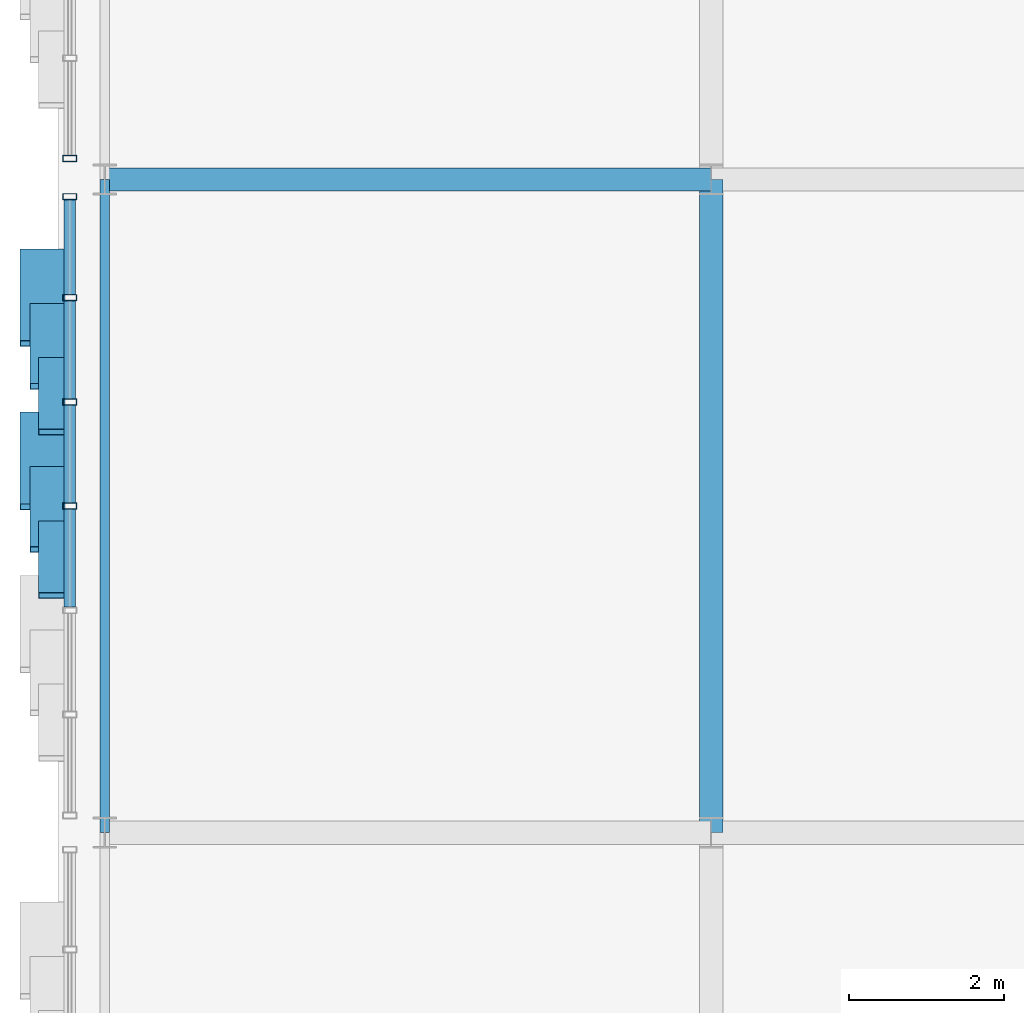
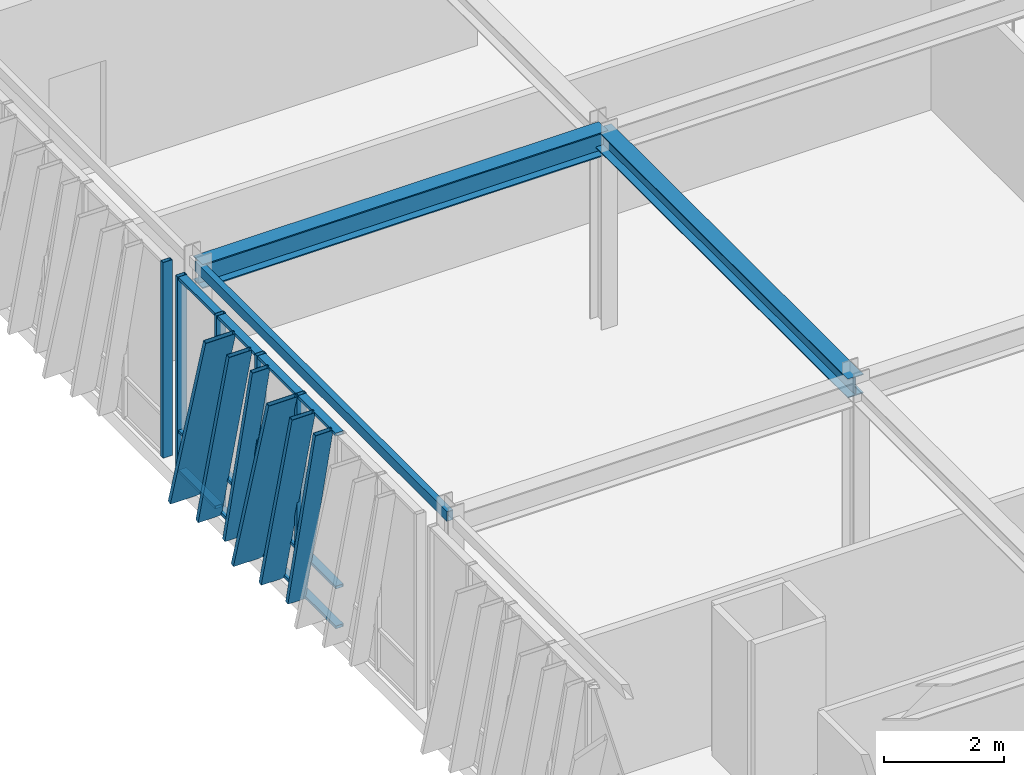
# One storey, part 38 of 123: 23 members, 3 beams, 2 elements without a shape of their own.
"""IFC4 building model written with IfcOpenShell, lengths in metres."""

from ifc_helpers import new_model, si_unit, direction, frame, origin, origin_2d, place, context, subcontext, project, spatial, hollow_rectangle, i_section, extrude, material, layer, layer_set, material_profile, profile_set, type_object, element, aggregate, save


model = new_model("IFC4")

# Units and contexts
model_context = context("Model", 3, precision=1e-05, world=origin(), true_north=direction((0.0, 1.0)))
body_context = subcontext(model_context, "Body", "Model", "MODEL_VIEW")
ifc_project = project(units=[si_unit("LENGTHUNIT", "METRE"), si_unit("AREAUNIT", "SQUARE_METRE"), si_unit("VOLUMEUNIT", "CUBIC_METRE"), si_unit("PLANEANGLEUNIT", "RADIAN"), si_unit("MASSUNIT", "GRAM", prefix="KILO")], contexts=[model_context])

# Site, building, storey
site_placement = place(None, origin())
site = spatial("IfcSite", under=ifc_project, at=site_placement, CompositionType="ELEMENT")
building_placement = place(site_placement, origin())
building = spatial("IfcBuilding", under=site, at=building_placement, Name="Zayran Congress Hotel", CompositionType="ELEMENT")
storey_placement = place(building_placement, frame((0.0, 0.0, 15.0)))
storey = spatial("IfcBuildingStorey", under=building, at=storey_placement, Name="L03", CompositionType="ELEMENT", Elevation=15.0)

# Beams
ifc_material_1 = material(Name="Steel S355", Category="steel")
ifc_material_profile_1 = material_profile(ifc_material_1, i_section(OverallWidth=0.300048828125, OverallDepth=0.489990234375, WebThickness=0.011962890625, FlangeThickness=0.02294921875, at=origin_2d()), Name="HEA 500")
ifc_profile_set_1 = profile_set([ifc_material_profile_1], Name="Steel S355")
beam_type_1 = type_object("IfcBeamType", Name="TP-BM-05", PredefinedType="BEAM", material=ifc_profile_set_1)
beam_1_placement = place(storey_placement, frame((9.0, 101.199951171875, 3.735107421875), z_axis=(1.0, 0.0, 0.0), x_axis=(0.0, 1.0, 0.0)))
element("IfcBeam", 1, at=beam_1_placement, inside=storey, type_object=beam_type_1, Name="BM-V1-L03-0825", PredefinedType="BEAM", context=body_context, shape_type="SweptSolid", body=[
    extrude(i_section(OverallWidth=0.300048828125, OverallDepth=0.489990234375, WebThickness=0.011962890625, FlangeThickness=0.02294921875, at=origin_2d()), origin(), (0.0, 0.0, 1.0), 7.800048828125),
])
ifc_material_profile_2 = material_profile(ifc_material_1, i_section(OverallWidth=0.300048828125, OverallDepth=0.389892578125, WebThickness=0.010986328125, FlangeThickness=0.01904296875, at=origin_2d()), Name="HEA 400")
ifc_profile_set_2 = profile_set([ifc_material_profile_2], Name="Steel S355")
beam_type_2 = type_object("IfcBeamType", Name="TP-BM-06", PredefinedType="BEAM", material=ifc_profile_set_2)
beam_2_placement = place(storey_placement, frame((16.800048828125, 92.800048828125, 3.784912109375), z_axis=(0.0, 1.0, 0.0), x_axis=(-1.0, 0.0, 0.0)))
element("IfcBeam", 2, at=beam_2_placement, inside=storey, type_object=beam_type_2, Name="BM-V1-L03-0857", PredefinedType="BEAM", context=body_context, shape_type="SweptSolid", body=[
    extrude(i_section(OverallWidth=0.300048828125, OverallDepth=0.389892578125, WebThickness=0.010986328125, FlangeThickness=0.01904296875, at=origin_2d()), origin(), (0.0, 0.0, 1.0), 8.39990234375),
])
ifc_material_profile_3 = material_profile(ifc_material_1, hollow_rectangle(XDim=0.1201171875, YDim=0.199951171875, WallThickness=0.008056640625, at=origin_2d()), Name="RHS 200x120x8")
ifc_profile_set_3 = profile_set([ifc_material_profile_3], Name="Steel S355")
beam_type_3 = type_object("IfcBeamType", Name="TP-SP-02", PredefinedType="SPANDREL", material=ifc_profile_set_3)
beam_3_placement = place(storey_placement, frame((9.0, 92.800048828125, 3.8798828125), z_axis=(0.0, 1.0, 0.0), x_axis=(-1.0, 0.0, 0.0)))
element("IfcBeam", 3, at=beam_3_placement, inside=storey, type_object=beam_type_3, Name="BM-V1-L03-0852", PredefinedType="SPANDREL", context=body_context, shape_type="SweptSolid", body=[
    extrude(hollow_rectangle(XDim=0.1201171875, YDim=0.199951171875, WallThickness=0.008056640625, at=origin_2d()), origin(), (0.0, 0.0, 1.0), 8.39990234375),
])

# Curtain wall, members
ifc_material_2 = material(Name="Anodised aluminium and low-E insulated glass", Category="aluminium")
ifc_layer_1 = layer(ifc_material_2, 0.179931640625)
ifc_layer_set_1 = layer_set([ifc_layer_1], Name="Anodised aluminium and low-E insulated glass")
curtain_wall_type_1 = type_object("IfcCurtainWallType", Name="CW-V1W-L03-CW-32-8040-3980", PredefinedType="USERDEFINED", material=ifc_layer_set_1)
curtain_wall_1_placement = place(storey_placement, origin())
curtain_wall_1 = element("IfcCurtainWall", 4, at=curtain_wall_1_placement, inside=storey, type_object=curtain_wall_type_1, Name="CW-V1W-L03-3", ObjectType="CURTAIN WALL", PredefinedType="USERDEFINED")
ifc_material_3 = material(Name="Anodised aluminium framing", Category="aluminium")
ifc_material_profile_4 = material_profile(ifc_material_3, hollow_rectangle(XDim=0.080078125, YDim=0.179931640625, WallThickness=0.0048828125, at=origin_2d()), Name="RHS 180x80x5")
ifc_profile_set_4 = profile_set([ifc_material_profile_4], Name="Anodised aluminium framing")
member_type_1 = type_object("IfcMemberType", Name="TP-CWM-01", PredefinedType="MULLION", material=ifc_profile_set_4)
member_1_placement = place(storey_placement, frame((8.550048828125, 100.97998046875, 0.0), z_axis=(0.0, 0.0, 1.0), x_axis=(0.0, 1.0, 0.0)))
member_1 = element("IfcMember", 5, at=member_1_placement, type_object=member_type_1, Name="CW-V1W-L03-3-M00", PredefinedType="MULLION", context=body_context, shape_type="SweptSolid", body=[
    extrude(hollow_rectangle(XDim=0.080078125, YDim=0.179931640625, WallThickness=0.0048828125, at=origin_2d()), origin(), (0.0, 0.0, 1.0), 3.97998046875),
])
member_2_placement = place(storey_placement, frame((8.550048828125, 99.679931640625, 0.0), z_axis=(0.0, 0.0, 1.0), x_axis=(0.0, 1.0, 0.0)))
member_2 = element("IfcMember", 6, at=member_2_placement, type_object=member_type_1, Name="CW-V1W-L03-3-M01", PredefinedType="MULLION", context=body_context, shape_type="SweptSolid", body=[
    extrude(hollow_rectangle(XDim=0.080078125, YDim=0.179931640625, WallThickness=0.0048828125, at=origin_2d()), origin(), (0.0, 0.0, 1.0), 3.97998046875),
])
member_3_placement = place(storey_placement, frame((8.550048828125, 98.340087890625, 0.0), z_axis=(0.0, 0.0, 1.0), x_axis=(0.0, 1.0, 0.0)))
member_3 = element("IfcMember", 7, at=member_3_placement, type_object=member_type_1, Name="CW-V1W-L03-3-M02", PredefinedType="MULLION", context=body_context, shape_type="SweptSolid", body=[
    extrude(hollow_rectangle(XDim=0.080078125, YDim=0.179931640625, WallThickness=0.0048828125, at=origin_2d()), origin(), (0.0, 0.0, 1.0), 3.97998046875),
])
member_4_placement = place(storey_placement, frame((8.550048828125, 97.0, 0.0), z_axis=(0.0, 0.0, 1.0), x_axis=(0.0, 1.0, 0.0)))
member_4 = element("IfcMember", 8, at=member_4_placement, type_object=member_type_1, Name="CW-V1W-L03-3-M03", PredefinedType="MULLION", context=body_context, shape_type="SweptSolid", body=[
    extrude(hollow_rectangle(XDim=0.080078125, YDim=0.179931640625, WallThickness=0.0048828125, at=origin_2d()), origin(), (0.0, 0.0, 1.0), 3.97998046875),
])

# Curtain wall, member
ifc_layer_2 = layer(ifc_material_2, 0.179931640625)
ifc_layer_set_2 = layer_set([ifc_layer_2], Name="Anodised aluminium and low-E insulated glass")
curtain_wall_type_2 = type_object("IfcCurtainWallType", Name="CW-V1W-L03-CW-31-7990-3980", PredefinedType="USERDEFINED", material=ifc_layer_set_2)
curtain_wall_2_placement = place(storey_placement, origin())
curtain_wall_2 = element("IfcCurtainWall", 9, at=curtain_wall_2_placement, inside=storey, type_object=curtain_wall_type_2, Name="CW-V1W-L03-4", ObjectType="CURTAIN WALL", PredefinedType="USERDEFINED")
member_5_placement = place(storey_placement, frame((8.550048828125, 101.469970703125, 0.0), z_axis=(0.0, 0.0, 1.0), x_axis=(0.0, 1.0, 0.0)))
member_5 = element("IfcMember", 10, at=member_5_placement, type_object=member_type_1, Name="CW-V1W-L03-4-M06", PredefinedType="MULLION", context=body_context, shape_type="SweptSolid", body=[
    extrude(hollow_rectangle(XDim=0.080078125, YDim=0.179931640625, WallThickness=0.0048828125, at=origin_2d()), origin(), (0.0, 0.0, 1.0), 3.97998046875),
])
aggregate(curtain_wall_2, [member_5])

# Member
ifc_material_profile_5 = material_profile(ifc_material_3, hollow_rectangle(XDim=0.06005859375, YDim=0.14990234375, WallThickness=0.00390625, at=origin_2d()), Name="RHS 150x60x4")
ifc_profile_set_5 = profile_set([ifc_material_profile_5], Name="Anodised aluminium framing")
member_type_2 = type_object("IfcMemberType", Name="TP-CWT-01", PredefinedType="USERDEFINED", material=ifc_profile_set_5)
member_6_placement = place(storey_placement, frame((8.550048828125, 100.93994140625, 0.030029296875), z_axis=(0.0, -1.0, 0.0), x_axis=(0.0, 0.0, 1.0)))
member_6 = element("IfcMember", 11, at=member_6_placement, type_object=member_type_2, Name="CW-V1W-L03-3-T00-0", ObjectType="TRANSOM", PredefinedType="USERDEFINED", context=body_context, shape_type="SweptSolid", body=[
    extrude(hollow_rectangle(XDim=0.06005859375, YDim=0.14990234375, WallThickness=0.00390625, at=origin_2d()), origin(), (0.0, 0.0, 1.0), 1.219970703125),
])

member_7_placement = place(storey_placement, frame((8.550048828125, 100.93994140625, 0.840087890625), z_axis=(0.0, -1.0, 0.0), x_axis=(0.0, 0.0, 1.0)))
member_7 = element("IfcMember", 12, at=member_7_placement, type_object=member_type_2, Name="CW-V1W-L03-3-T00-1", ObjectType="TRANSOM", PredefinedType="USERDEFINED", context=body_context, shape_type="SweptSolid", body=[
    extrude(hollow_rectangle(XDim=0.06005859375, YDim=0.14990234375, WallThickness=0.00390625, at=origin_2d()), origin(), (0.0, 0.0, 1.0), 1.219970703125),
])

member_8_placement = place(storey_placement, frame((8.550048828125, 100.93994140625, 3.949951171875), z_axis=(0.0, -1.0, 0.0), x_axis=(0.0, 0.0, 1.0)))
member_8 = element("IfcMember", 13, at=member_8_placement, type_object=member_type_2, Name="CW-V1W-L03-3-T00-2", ObjectType="TRANSOM", PredefinedType="USERDEFINED", context=body_context, shape_type="SweptSolid", body=[
    extrude(hollow_rectangle(XDim=0.06005859375, YDim=0.14990234375, WallThickness=0.00390625, at=origin_2d()), origin(), (0.0, 0.0, 1.0), 1.219970703125),
])

member_9_placement = place(storey_placement, frame((8.550048828125, 99.639892578125, 0.030029296875), z_axis=(0.0, -1.0, 0.0), x_axis=(0.0, 0.0, 1.0)))
member_9 = element("IfcMember", 14, at=member_9_placement, type_object=member_type_2, Name="CW-V1W-L03-3-T01-0", ObjectType="TRANSOM", PredefinedType="USERDEFINED", context=body_context, shape_type="SweptSolid", body=[
    extrude(hollow_rectangle(XDim=0.06005859375, YDim=0.14990234375, WallThickness=0.00390625, at=origin_2d()), origin(), (0.0, 0.0, 1.0), 1.260009765625),
])

member_10_placement = place(storey_placement, frame((8.550048828125, 99.639892578125, 0.840087890625), z_axis=(0.0, -1.0, 0.0), x_axis=(0.0, 0.0, 1.0)))
member_10 = element("IfcMember", 15, at=member_10_placement, type_object=member_type_2, Name="CW-V1W-L03-3-T01-1", ObjectType="TRANSOM", PredefinedType="USERDEFINED", context=body_context, shape_type="SweptSolid", body=[
    extrude(hollow_rectangle(XDim=0.06005859375, YDim=0.14990234375, WallThickness=0.00390625, at=origin_2d()), origin(), (0.0, 0.0, 1.0), 1.260009765625),
])

member_11_placement = place(storey_placement, frame((8.550048828125, 99.639892578125, 3.949951171875), z_axis=(0.0, -1.0, 0.0), x_axis=(0.0, 0.0, 1.0)))
member_11 = element("IfcMember", 16, at=member_11_placement, type_object=member_type_2, Name="CW-V1W-L03-3-T01-2", ObjectType="TRANSOM", PredefinedType="USERDEFINED", context=body_context, shape_type="SweptSolid", body=[
    extrude(hollow_rectangle(XDim=0.06005859375, YDim=0.14990234375, WallThickness=0.00390625, at=origin_2d()), origin(), (0.0, 0.0, 1.0), 1.260009765625),
])

member_12_placement = place(storey_placement, frame((8.550048828125, 98.300048828125, 0.030029296875), z_axis=(0.0, -1.0, 0.0), x_axis=(0.0, 0.0, 1.0)))
member_12 = element("IfcMember", 17, at=member_12_placement, type_object=member_type_2, Name="CW-V1W-L03-3-T02-0", ObjectType="TRANSOM", PredefinedType="USERDEFINED", context=body_context, shape_type="SweptSolid", body=[
    extrude(hollow_rectangle(XDim=0.06005859375, YDim=0.14990234375, WallThickness=0.00390625, at=origin_2d()), origin(), (0.0, 0.0, 1.0), 1.260009765625),
])

member_13_placement = place(storey_placement, frame((8.550048828125, 98.300048828125, 0.840087890625), z_axis=(0.0, -1.0, 0.0), x_axis=(0.0, 0.0, 1.0)))
member_13 = element("IfcMember", 18, at=member_13_placement, type_object=member_type_2, Name="CW-V1W-L03-3-T02-1", ObjectType="TRANSOM", PredefinedType="USERDEFINED", context=body_context, shape_type="SweptSolid", body=[
    extrude(hollow_rectangle(XDim=0.06005859375, YDim=0.14990234375, WallThickness=0.00390625, at=origin_2d()), origin(), (0.0, 0.0, 1.0), 1.260009765625),
])

member_14_placement = place(storey_placement, frame((8.550048828125, 98.300048828125, 3.949951171875), z_axis=(0.0, -1.0, 0.0), x_axis=(0.0, 0.0, 1.0)))
member_14 = element("IfcMember", 19, at=member_14_placement, type_object=member_type_2, Name="CW-V1W-L03-3-T02-2", ObjectType="TRANSOM", PredefinedType="USERDEFINED", context=body_context, shape_type="SweptSolid", body=[
    extrude(hollow_rectangle(XDim=0.06005859375, YDim=0.14990234375, WallThickness=0.00390625, at=origin_2d()), origin(), (0.0, 0.0, 1.0), 1.260009765625),
])

member_15_placement = place(storey_placement, frame((8.550048828125, 96.9599609375, 0.030029296875), z_axis=(0.0, -1.0, 0.0), x_axis=(0.0, 0.0, 1.0)))
member_15 = element("IfcMember", 20, at=member_15_placement, type_object=member_type_2, Name="CW-V1W-L03-3-T03-0", ObjectType="TRANSOM", PredefinedType="USERDEFINED", context=body_context, shape_type="SweptSolid", body=[
    extrude(hollow_rectangle(XDim=0.06005859375, YDim=0.14990234375, WallThickness=0.00390625, at=origin_2d()), origin(), (0.0, 0.0, 1.0), 1.260009765625),
])

member_16_placement = place(storey_placement, frame((8.550048828125, 96.9599609375, 0.840087890625), z_axis=(0.0, -1.0, 0.0), x_axis=(0.0, 0.0, 1.0)))
member_16 = element("IfcMember", 21, at=member_16_placement, type_object=member_type_2, Name="CW-V1W-L03-3-T03-1", ObjectType="TRANSOM", PredefinedType="USERDEFINED", context=body_context, shape_type="SweptSolid", body=[
    extrude(hollow_rectangle(XDim=0.06005859375, YDim=0.14990234375, WallThickness=0.00390625, at=origin_2d()), origin(), (0.0, 0.0, 1.0), 1.260009765625),
])

member_17_placement = place(storey_placement, frame((8.550048828125, 96.9599609375, 3.949951171875), z_axis=(0.0, -1.0, 0.0), x_axis=(0.0, 0.0, 1.0)))
member_17 = element("IfcMember", 22, at=member_17_placement, type_object=member_type_2, Name="CW-V1W-L03-3-T03-2", ObjectType="TRANSOM", PredefinedType="USERDEFINED", context=body_context, shape_type="SweptSolid", body=[
    extrude(hollow_rectangle(XDim=0.06005859375, YDim=0.14990234375, WallThickness=0.00390625, at=origin_2d()), origin(), (0.0, 0.0, 1.0), 1.260009765625),
])

ifc_material_4 = material(Name="Warm bronze anodised aluminium", Category="aluminium")
ifc_material_profile_6 = material_profile(ifc_material_4, hollow_rectangle(XDim=0.080078125, YDim=0.580078125, WallThickness=0.006103515625, at=origin_2d()), Name="RHS 580x80x6")
ifc_profile_set_6 = profile_set([ifc_material_profile_6], Name="Warm bronze anodised aluminium")
member_type_3 = type_object("IfcMemberType", Name="TP-RFN-01", PredefinedType="MULLION", material=ifc_profile_set_6)
member_18_placement = place(storey_placement, frame((8.199951171875, 100.27001953125, 0.0), z_axis=(0.0, -0.284022244508, 0.958817691026), x_axis=(0.0, 0.958817691026, 0.284022244508)))
member_18 = element("IfcMember", 23, at=member_18_placement, type_object=member_type_3, Name="Slanting Reed Mullion CW-32-01", PredefinedType="MULLION", context=body_context, shape_type="SweptSolid", body=[
    extrude(hollow_rectangle(XDim=0.080078125, YDim=0.580078125, WallThickness=0.006103515625, at=origin_2d()), origin(), (0.0, 0.0, 1.0), 4.15087890625),
])

member_19_placement = place(storey_placement, frame((8.199951171875, 98.169921875, 0.0), z_axis=(0.0, -0.283968171801, 0.958833706856), x_axis=(0.0, 0.958833706856, 0.283968171801)))
member_19 = element("IfcMember", 24, at=member_19_placement, type_object=member_type_3, Name="Slanting Reed Mullion CW-32-04", PredefinedType="MULLION", context=body_context, shape_type="SweptSolid", body=[
    extrude(hollow_rectangle(XDim=0.080078125, YDim=0.580078125, WallThickness=0.006103515625, at=origin_2d()), origin(), (0.0, 0.0, 1.0), 4.15087890625),
])

ifc_material_profile_7 = material_profile(ifc_material_4, hollow_rectangle(XDim=0.080078125, YDim=0.449951171875, WallThickness=0.006103515625, at=origin_2d()), Name="RHS 450x80x6")
ifc_profile_set_7 = profile_set([ifc_material_profile_7], Name="Warm bronze anodised aluminium")
member_type_4 = type_object("IfcMemberType", Name="TP-RFN-02", PredefinedType="MULLION", material=ifc_profile_set_7)
member_20_placement = place(storey_placement, frame((8.264892578125, 99.570068359375, 0.0), z_axis=(0.0, -0.250380902481, 0.968147408029), x_axis=(0.0, 0.968147408029, 0.250380902481)))
member_20 = element("IfcMember", 25, at=member_20_placement, type_object=member_type_4, Name="Slanting Reed Mullion CW-32-02", PredefinedType="MULLION", context=body_context, shape_type="SweptSolid", body=[
    extrude(hollow_rectangle(XDim=0.080078125, YDim=0.449951171875, WallThickness=0.006103515625, at=origin_2d()), origin(), (0.0, 0.0, 1.0), 4.11083984375),
])

member_21_placement = place(storey_placement, frame((8.264892578125, 97.469970703125, 0.0), z_axis=(0.0, -0.250380902481, 0.968147408029), x_axis=(0.0, 0.968147408029, 0.250380902481)))
member_21 = element("IfcMember", 26, at=member_21_placement, type_object=member_type_4, Name="Slanting Reed Mullion CW-32-05", PredefinedType="MULLION", context=body_context, shape_type="SweptSolid", body=[
    extrude(hollow_rectangle(XDim=0.080078125, YDim=0.449951171875, WallThickness=0.006103515625, at=origin_2d()), origin(), (0.0, 0.0, 1.0), 4.11083984375),
])

ifc_material_profile_8 = material_profile(ifc_material_4, hollow_rectangle(XDim=0.080078125, YDim=0.340087890625, WallThickness=0.006103515625, at=origin_2d()), Name="RHS 340x80x6")
ifc_profile_set_8 = profile_set([ifc_material_profile_8], Name="Warm bronze anodised aluminium")
member_type_5 = type_object("IfcMemberType", Name="TP-RFN-03", PredefinedType="MULLION", material=ifc_profile_set_8)
member_22_placement = place(storey_placement, frame((8.320068359375, 98.8701171875, 0.0), z_axis=(0.0, -0.224973000371, 0.974364997885), x_axis=(0.0, 0.974364997885, 0.224973000371)))
member_22 = element("IfcMember", 27, at=member_22_placement, type_object=member_type_5, Name="Slanting Reed Mullion CW-32-03", PredefinedType="MULLION", context=body_context, shape_type="SweptSolid", body=[
    extrude(hollow_rectangle(XDim=0.080078125, YDim=0.340087890625, WallThickness=0.006103515625, at=origin_2d()), origin(), (0.0, 0.0, 1.0), 4.084716796875),
])

member_23_placement = place(storey_placement, frame((8.320068359375, 96.77001953125, 0.0), z_axis=(0.0, -0.224973000371, 0.974364997885), x_axis=(0.0, 0.974364997885, 0.224973000371)))
member_23 = element("IfcMember", 28, at=member_23_placement, type_object=member_type_5, Name="Slanting Reed Mullion CW-32-06", PredefinedType="MULLION", context=body_context, shape_type="SweptSolid", body=[
    extrude(hollow_rectangle(XDim=0.080078125, YDim=0.340087890625, WallThickness=0.006103515625, at=origin_2d()), origin(), (0.0, 0.0, 1.0), 4.084716796875),
])

aggregate(curtain_wall_1, [member_1, member_2, member_3, member_4, member_6, member_7, member_8, member_9, member_10, member_11, member_12, member_13, member_14, member_15, member_16, member_17, member_18, member_20, member_22, member_19, member_21, member_23])

save(model, "model.ifc")
